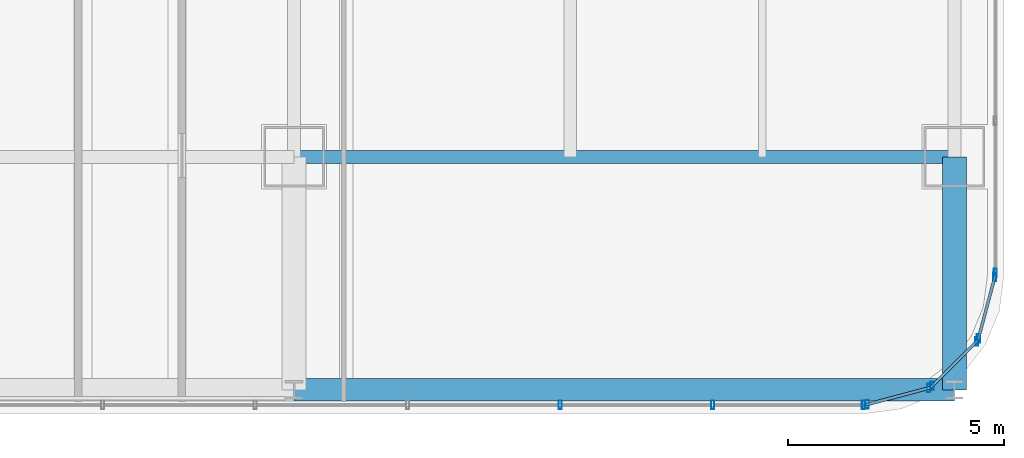
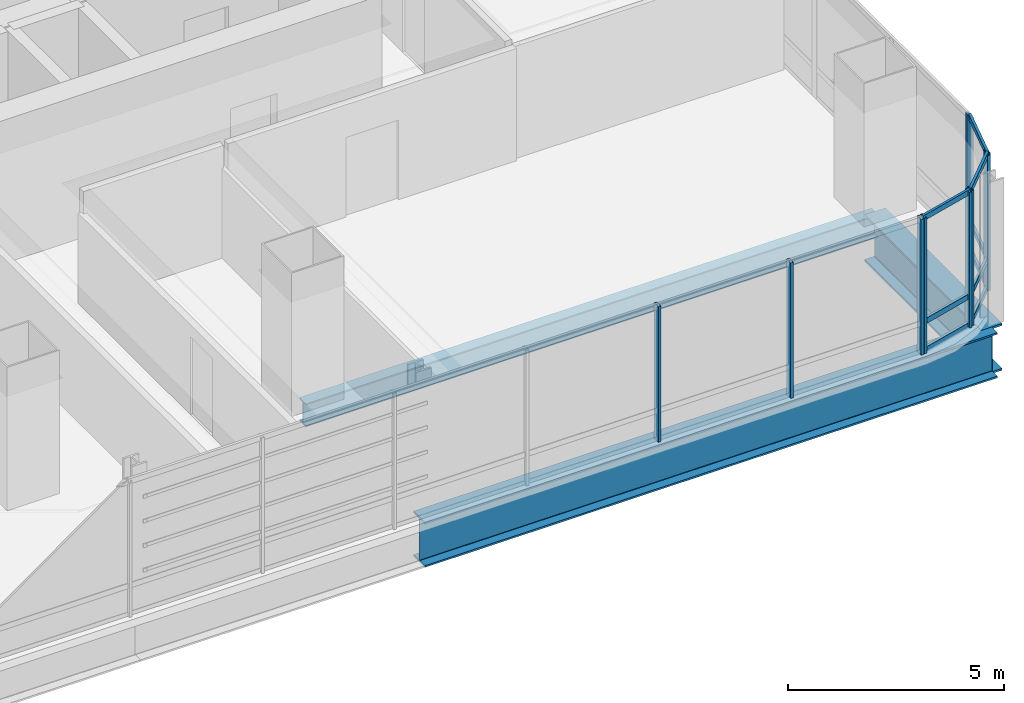
# One storey, part 13 of 37: 19 members, 3 beams, 5 elements without a shape of their own.
"""IFC4 building model written with IfcOpenShell, lengths in metres."""

from ifc_helpers import new_model, si_unit, direction, frame, origin, origin_2d, place, context, subcontext, project, spatial, hollow_rectangle, i_section, extrude, material, material_profile, profile_set, type_object, element, aggregate, save


model = new_model("IFC4")

# Units and contexts
model_context = context("Model", 3, precision=1e-05, world=origin(), true_north=direction((0.0, 1.0)))
body_context = subcontext(model_context, "Body", "Model", "MODEL_VIEW")
ifc_project = project(units=[si_unit("LENGTHUNIT", "METRE"), si_unit("AREAUNIT", "SQUARE_METRE"), si_unit("VOLUMEUNIT", "CUBIC_METRE"), si_unit("PLANEANGLEUNIT", "RADIAN"), si_unit("MASSUNIT", "GRAM", prefix="KILO")], contexts=[model_context])

# Site, building, storey
site_placement = place(None, origin())
site = spatial("IfcSite", under=ifc_project, at=site_placement, CompositionType="ELEMENT")
building_placement = place(site_placement, origin())
building = spatial("IfcBuilding", under=site, at=building_placement, Name="Punatoya Terracotta Tower", CompositionType="ELEMENT")
storey_placement = place(building_placement, frame((0.0, 0.0, 192.449951171875)))
storey = spatial("IfcBuildingStorey", under=building, at=storey_placement, Name="L45", CompositionType="ELEMENT", Elevation=192.449951171875)

# Beams
ifc_material_1 = material(Name="Steel S355", Category="steel")
ifc_material_profile_1 = material_profile(ifc_material_1, i_section(OverallWidth=0.300048828125, OverallDepth=0.64990234375, WebThickness=0.01611328125, FlangeThickness=0.031005859375, FilletRadius=0.01806640625, at=origin_2d()))
ifc_profile_set_1 = profile_set([ifc_material_profile_1], Name="Steel S355")
beam_type_1 = type_object("IfcBeamType", Name="BM-PRI-650", PredefinedType="BEAM", material=ifc_profile_set_1)
beam_1_placement = place(storey_placement, frame((3.800048828125, -17.5, -0.544921875), z_axis=(1.0, 0.0, 0.0), x_axis=(0.0, 1.0, 0.0)))
element("IfcBeam", 1, at=beam_1_placement, inside=storey, type_object=beam_type_1, Name="BM-L45-RG-S3", PredefinedType="BEAM", context=body_context, shape_type="SweptSolid", body=[
    extrude(i_section(OverallWidth=0.300048828125, OverallDepth=0.64990234375, WebThickness=0.01611328125, FlangeThickness=0.031005859375, FilletRadius=0.01806640625, at=origin_2d()), origin(), (0.0, 0.0, 1.0), 15.300048828125),
])
ifc_material_2 = material(Name="Steel S460", Category="steel")
ifc_material_profile_2 = material_profile(ifc_material_2, i_section(OverallWidth=0.56005859375, OverallDepth=1.320068359375, WebThickness=0.035888671875, FlangeThickness=0.054931640625, FilletRadius=0.01806640625, at=origin_2d()))
ifc_profile_set_2 = profile_set([ifc_material_profile_2], Name="Steel S460")
beam_type_2 = type_object("IfcBeamType", Name="BM-TG-BLK", PredefinedType="BEAM", material=ifc_profile_set_2)
beam_2_placement = place(storey_placement, frame((19.10009765625, -22.89990234375, -0.8798828125), z_axis=(0.0, 1.0, 0.0), x_axis=(-1.0, 0.0, 0.0)))
element("IfcBeam", 2, at=beam_2_placement, inside=storey, type_object=beam_type_2, Name="BM-L45-CANT-S4", PredefinedType="BEAM", context=body_context, shape_type="SweptSolid", body=[
    extrude(i_section(OverallWidth=0.56005859375, OverallDepth=1.320068359375, WebThickness=0.035888671875, FlangeThickness=0.054931640625, FilletRadius=0.01806640625, at=origin_2d()), origin(), (0.0, 0.0, 1.0), 5.39990234375),
])
ifc_material_profile_3 = material_profile(ifc_material_2, i_section(OverallWidth=0.52001953125, OverallDepth=1.280029296875, WebThickness=0.031982421875, FlangeThickness=0.050048828125, FilletRadius=0.01806640625, at=origin_2d()))
ifc_profile_set_3 = profile_set([ifc_material_profile_3], Name="Steel S460")
beam_type_3 = type_object("IfcBeamType", Name="BM-TG-NCK", PredefinedType="BEAM", material=ifc_profile_set_3)
beam_3_placement = place(storey_placement, frame((3.800048828125, -22.89990234375, -0.85986328125), z_axis=(1.0, 0.0, 0.0), x_axis=(0.0, 1.0, 0.0)))
element("IfcBeam", 3, at=beam_3_placement, inside=storey, type_object=beam_type_3, Name="BM-L45-PER-S3", PredefinedType="BEAM", context=body_context, shape_type="SweptSolid", body=[
    extrude(i_section(OverallWidth=0.52001953125, OverallDepth=1.280029296875, WebThickness=0.031982421875, FlangeThickness=0.050048828125, FilletRadius=0.01806640625, at=origin_2d()), origin(), (0.0, 0.0, 1.0), 15.300048828125),
])

# Curtain wall, members
ifc_material_3 = material(Name="Aluminium 6063-T6 + Double Low-E Glass", Category="aluminium")
curtain_wall_type = type_object("IfcCurtainWallType", Name="CW-M2", PredefinedType="NOTDEFINED", material=ifc_material_3)
curtain_wall_1_placement = place(storey_placement, origin())
curtain_wall_1 = element("IfcCurtainWall", 4, at=curtain_wall_1_placement, inside=storey, type_object=curtain_wall_type, Name="L45 Curtain Wall CW-L45-S01-1", PredefinedType="NOTDEFINED")
ifc_material_4 = material(Name="Aluminium 6063-T6", Category="aluminium")
ifc_material_profile_4 = material_profile(ifc_material_4, hollow_rectangle(XDim=0.072021484375, YDim=0.195068359375, WallThickness=0.00439453125, at=origin_2d()))
ifc_profile_set_4 = profile_set([ifc_material_profile_4], Name="Aluminium 6063-T6")
member_type_1 = type_object("IfcMemberType", Name="CW-MUL-M2", PredefinedType="MULLION", material=ifc_profile_set_4)
member_1_placement = place(storey_placement, frame((9.968994140625, -23.25, 0.0), z_axis=(0.0, 0.0, 1.0), x_axis=(1.0, 0.0, 0.0)))
member_1 = element("IfcMember", 5, at=member_1_placement, type_object=member_type_1, Name="CW-L45-S01-1 Mullion 09", PredefinedType="MULLION", context=body_context, shape_type="SweptSolid", body=[
    extrude(hollow_rectangle(XDim=0.072021484375, YDim=0.195068359375, WallThickness=0.00439453125, at=origin_2d()), origin(), (0.0, 0.0, 1.0), 3.830078125),
])
member_2_placement = place(storey_placement, frame((13.5029296875, -23.25, 0.0), z_axis=(0.0, 0.0, 1.0), x_axis=(1.0, 0.0, 0.0)))
member_2 = element("IfcMember", 6, at=member_2_placement, type_object=member_type_1, Name="CW-L45-S01-1 Mullion 10", PredefinedType="MULLION", context=body_context, shape_type="SweptSolid", body=[
    extrude(hollow_rectangle(XDim=0.072021484375, YDim=0.195068359375, WallThickness=0.00439453125, at=origin_2d()), origin(), (0.0, 0.0, 1.0), 3.830078125),
])
member_3_placement = place(storey_placement, frame((16.991943359375, -23.25, 0.0), z_axis=(0.0, 0.0, 1.0), x_axis=(1.0, 0.0, 0.0)))
member_3 = element("IfcMember", 7, at=member_3_placement, type_object=member_type_1, Name="CW-L45-S01-1 Mullion 11", PredefinedType="MULLION", context=body_context, shape_type="SweptSolid", body=[
    extrude(hollow_rectangle(XDim=0.072021484375, YDim=0.195068359375, WallThickness=0.00439453125, at=origin_2d()), origin(), (0.0, 0.0, 1.0), 3.830078125),
])
aggregate(curtain_wall_1, [member_1, member_2, member_3])

curtain_wall_2_placement = place(storey_placement, origin())
curtain_wall_2 = element("IfcCurtainWall", 8, at=curtain_wall_2_placement, inside=storey, type_object=curtain_wall_type, Name="L45 Curtain Wall CW-L45-CRN02", PredefinedType="NOTDEFINED")
member_4_placement = place(storey_placement, frame((17.080322265625, -23.23828125, 0.0), z_axis=(0.0, 0.0, 1.0), x_axis=(1.0, 0.0, 0.0)))
member_4 = element("IfcMember", 9, at=member_4_placement, type_object=member_type_1, Name="CW-L45-CRN02 Mullion 00", PredefinedType="MULLION", context=body_context, shape_type="SweptSolid", body=[
    extrude(hollow_rectangle(XDim=0.072021484375, YDim=0.195068359375, WallThickness=0.00439453125, at=origin_2d()), origin(), (0.0, 0.0, 1.0), 3.830078125),
])
member_5_placement = place(storey_placement, frame((18.505615234375, -22.858154296875, 0.0), z_axis=(0.0, 0.0, 1.0), x_axis=(1.0, 0.0, 0.0)))
member_5 = element("IfcMember", 10, at=member_5_placement, type_object=member_type_1, Name="CW-L45-CRN02 Mullion 01", PredefinedType="MULLION", context=body_context, shape_type="SweptSolid", body=[
    extrude(hollow_rectangle(XDim=0.072021484375, YDim=0.195068359375, WallThickness=0.00439453125, at=origin_2d()), origin(), (0.0, 0.0, 1.0), 3.830078125),
])

curtain_wall_3_placement = place(storey_placement, origin())
curtain_wall_3 = element("IfcCurtainWall", 11, at=curtain_wall_3_placement, inside=storey, type_object=curtain_wall_type, Name="L45 Curtain Wall CW-L45-CRN03", PredefinedType="NOTDEFINED")
member_6_placement = place(storey_placement, frame((18.580810546875, -22.814697265625, 0.0), z_axis=(0.0, 0.0, 1.0), x_axis=(1.0, 0.0, 0.0)))
member_6 = element("IfcMember", 12, at=member_6_placement, type_object=member_type_1, Name="CW-L45-CRN03 Mullion 00", PredefinedType="MULLION", context=body_context, shape_type="SweptSolid", body=[
    extrude(hollow_rectangle(XDim=0.072021484375, YDim=0.195068359375, WallThickness=0.00439453125, at=origin_2d()), origin(), (0.0, 0.0, 1.0), 3.830078125),
])
member_7_placement = place(storey_placement, frame((19.61474609375, -21.781005859375, 0.0), z_axis=(0.0, 0.0, 1.0), x_axis=(1.0, 0.0, 0.0)))
member_7 = element("IfcMember", 13, at=member_7_placement, type_object=member_type_1, Name="CW-L45-CRN03 Mullion 01", PredefinedType="MULLION", context=body_context, shape_type="SweptSolid", body=[
    extrude(hollow_rectangle(XDim=0.072021484375, YDim=0.195068359375, WallThickness=0.00439453125, at=origin_2d()), origin(), (0.0, 0.0, 1.0), 3.830078125),
])

curtain_wall_4_placement = place(storey_placement, origin())
curtain_wall_4 = element("IfcCurtainWall", 14, at=curtain_wall_4_placement, inside=storey, type_object=curtain_wall_type, Name="L45 Curtain Wall CW-L45-CRN04", PredefinedType="NOTDEFINED")
member_8_placement = place(storey_placement, frame((19.658203125, -21.70556640625, 0.0), z_axis=(0.0, 0.0, 1.0), x_axis=(1.0, 0.0, 0.0)))
member_8 = element("IfcMember", 15, at=member_8_placement, type_object=member_type_1, Name="CW-L45-CRN04 Mullion 00", PredefinedType="MULLION", context=body_context, shape_type="SweptSolid", body=[
    extrude(hollow_rectangle(XDim=0.072021484375, YDim=0.195068359375, WallThickness=0.00439453125, at=origin_2d()), origin(), (0.0, 0.0, 1.0), 3.830078125),
])
member_9_placement = place(storey_placement, frame((20.038330078125, -20.280517578125, 0.0), z_axis=(0.0, 0.0, 1.0), x_axis=(1.0, 0.0, 0.0)))
member_9 = element("IfcMember", 16, at=member_9_placement, type_object=member_type_1, Name="CW-L45-CRN04 Mullion 01", PredefinedType="MULLION", context=body_context, shape_type="SweptSolid", body=[
    extrude(hollow_rectangle(XDim=0.072021484375, YDim=0.195068359375, WallThickness=0.00439453125, at=origin_2d()), origin(), (0.0, 0.0, 1.0), 3.830078125),
])

# Curtain wall, member
curtain_wall_5_placement = place(storey_placement, origin())
curtain_wall_5 = element("IfcCurtainWall", 17, at=curtain_wall_5_placement, inside=storey, type_object=curtain_wall_type, Name="L45 Curtain Wall CW-L45-E05-1", PredefinedType="NOTDEFINED")
member_10_placement = place(storey_placement, frame((20.050048828125, -20.19189453125, 0.0), z_axis=(0.0, 0.0, 1.0), x_axis=(1.0, 0.0, 0.0)))
member_10 = element("IfcMember", 18, at=member_10_placement, type_object=member_type_1, Name="CW-L45-E05-1 Mullion 00", PredefinedType="MULLION", context=body_context, shape_type="SweptSolid", body=[
    extrude(hollow_rectangle(XDim=0.072021484375, YDim=0.195068359375, WallThickness=0.00439453125, at=origin_2d()), origin(), (0.0, 0.0, 1.0), 3.830078125),
])
aggregate(curtain_wall_5, [member_10])

# Member
ifc_material_profile_5 = material_profile(ifc_material_4, hollow_rectangle(XDim=0.068115234375, YDim=0.14990234375, WallThickness=0.00390625, at=origin_2d()))
ifc_profile_set_5 = profile_set([ifc_material_profile_5], Name="Aluminium 6063-T6")
member_type_2 = type_object("IfcMemberType", Name="CW-TRN-TYP", PredefinedType="USERDEFINED", material=ifc_profile_set_5)
member_11_placement = place(storey_placement, frame((17.036865234375, -23.25, 0.0400390625), z_axis=(0.966224582397, 0.257701486942, 0.0), x_axis=(-0.257701486942, 0.966224582397, 0.0)))
member_11 = element("IfcMember", 19, at=member_11_placement, type_object=member_type_2, Name="CW-L45-CRN02 Transom 1", ObjectType="TRANSOM", PredefinedType="USERDEFINED", context=body_context, shape_type="SweptSolid", body=[
    extrude(hollow_rectangle(XDim=0.068115234375, YDim=0.14990234375, WallThickness=0.00390625, at=origin_2d()), origin(), (0.0, 0.0, 1.0), 1.565185546875),
])

member_12_placement = place(storey_placement, frame((17.036865234375, -23.25, 0.85009765625), z_axis=(0.966224582397, 0.257701486942, 0.0), x_axis=(-0.257701486942, 0.966224582397, 0.0)))
member_12 = element("IfcMember", 20, at=member_12_placement, type_object=member_type_2, Name="CW-L45-CRN02 Transom 2", ObjectType="TRANSOM", PredefinedType="USERDEFINED", context=body_context, shape_type="SweptSolid", body=[
    extrude(hollow_rectangle(XDim=0.068115234375, YDim=0.14990234375, WallThickness=0.00390625, at=origin_2d()), origin(), (0.0, 0.0, 1.0), 1.565185546875),
])

member_13_placement = place(storey_placement, frame((17.036865234375, -23.25, 3.7900390625), z_axis=(0.966224582397, 0.257701486942, 0.0), x_axis=(-0.257701486942, 0.966224582397, 0.0)))
member_13 = element("IfcMember", 21, at=member_13_placement, type_object=member_type_2, Name="CW-L45-CRN02 Transom 3", ObjectType="TRANSOM", PredefinedType="USERDEFINED", context=body_context, shape_type="SweptSolid", body=[
    extrude(hollow_rectangle(XDim=0.068115234375, YDim=0.14990234375, WallThickness=0.00390625, at=origin_2d()), origin(), (0.0, 0.0, 1.0), 1.565185546875),
])

aggregate(curtain_wall_2, [member_4, member_5, member_11, member_12, member_13])

member_14_placement = place(storey_placement, frame((18.549072265625, -22.8466796875, 0.0400390625), z_axis=(0.707028130747, 0.707185422879, 0.0), x_axis=(-0.707185422879, 0.707028130747, 0.0)))
member_14 = element("IfcMember", 22, at=member_14_placement, type_object=member_type_2, Name="CW-L45-CRN03 Transom 1", ObjectType="TRANSOM", PredefinedType="USERDEFINED", context=body_context, shape_type="SweptSolid", body=[
    extrude(hollow_rectangle(XDim=0.068115234375, YDim=0.14990234375, WallThickness=0.00390625, at=origin_2d()), origin(), (0.0, 0.0, 1.0), 1.55224609375),
])

member_15_placement = place(storey_placement, frame((18.549072265625, -22.8466796875, 0.85009765625), z_axis=(0.707028130747, 0.707185422879, 0.0), x_axis=(-0.707185422879, 0.707028130747, 0.0)))
member_15 = element("IfcMember", 23, at=member_15_placement, type_object=member_type_2, Name="CW-L45-CRN03 Transom 2", ObjectType="TRANSOM", PredefinedType="USERDEFINED", context=body_context, shape_type="SweptSolid", body=[
    extrude(hollow_rectangle(XDim=0.068115234375, YDim=0.14990234375, WallThickness=0.00390625, at=origin_2d()), origin(), (0.0, 0.0, 1.0), 1.55224609375),
])

member_16_placement = place(storey_placement, frame((18.549072265625, -22.8466796875, 3.7900390625), z_axis=(0.707028130747, 0.707185422879, 0.0), x_axis=(-0.707185422879, 0.707028130747, 0.0)))
member_16 = element("IfcMember", 24, at=member_16_placement, type_object=member_type_2, Name="CW-L45-CRN03 Transom 3", ObjectType="TRANSOM", PredefinedType="USERDEFINED", context=body_context, shape_type="SweptSolid", body=[
    extrude(hollow_rectangle(XDim=0.068115234375, YDim=0.14990234375, WallThickness=0.00390625, at=origin_2d()), origin(), (0.0, 0.0, 1.0), 1.55224609375),
])

aggregate(curtain_wall_3, [member_6, member_7, member_14, member_15, member_16])

member_17_placement = place(storey_placement, frame((19.646484375, -21.7490234375, 0.0400390625), z_axis=(0.257847112249, 0.966185730957, 0.0), x_axis=(-0.966185730957, 0.257847112249, 0.0)))
member_17 = element("IfcMember", 25, at=member_17_placement, type_object=member_type_2, Name="CW-L45-CRN04 Transom 1", ObjectType="TRANSOM", PredefinedType="USERDEFINED", context=body_context, shape_type="SweptSolid", body=[
    extrude(hollow_rectangle(XDim=0.068115234375, YDim=0.14990234375, WallThickness=0.00390625, at=origin_2d()), origin(), (0.0, 0.0, 1.0), 1.565185546875),
])

member_18_placement = place(storey_placement, frame((19.646484375, -21.7490234375, 0.85009765625), z_axis=(0.257847112249, 0.966185730957, 0.0), x_axis=(-0.966185730957, 0.257847112249, 0.0)))
member_18 = element("IfcMember", 26, at=member_18_placement, type_object=member_type_2, Name="CW-L45-CRN04 Transom 2", ObjectType="TRANSOM", PredefinedType="USERDEFINED", context=body_context, shape_type="SweptSolid", body=[
    extrude(hollow_rectangle(XDim=0.068115234375, YDim=0.14990234375, WallThickness=0.00390625, at=origin_2d()), origin(), (0.0, 0.0, 1.0), 1.565185546875),
])

member_19_placement = place(storey_placement, frame((19.646484375, -21.7490234375, 3.7900390625), z_axis=(0.257847112249, 0.966185730957, 0.0), x_axis=(-0.966185730957, 0.257847112249, 0.0)))
member_19 = element("IfcMember", 27, at=member_19_placement, type_object=member_type_2, Name="CW-L45-CRN04 Transom 3", ObjectType="TRANSOM", PredefinedType="USERDEFINED", context=body_context, shape_type="SweptSolid", body=[
    extrude(hollow_rectangle(XDim=0.068115234375, YDim=0.14990234375, WallThickness=0.00390625, at=origin_2d()), origin(), (0.0, 0.0, 1.0), 1.565185546875),
])

aggregate(curtain_wall_4, [member_8, member_9, member_17, member_18, member_19])

save(model, "model.ifc")
